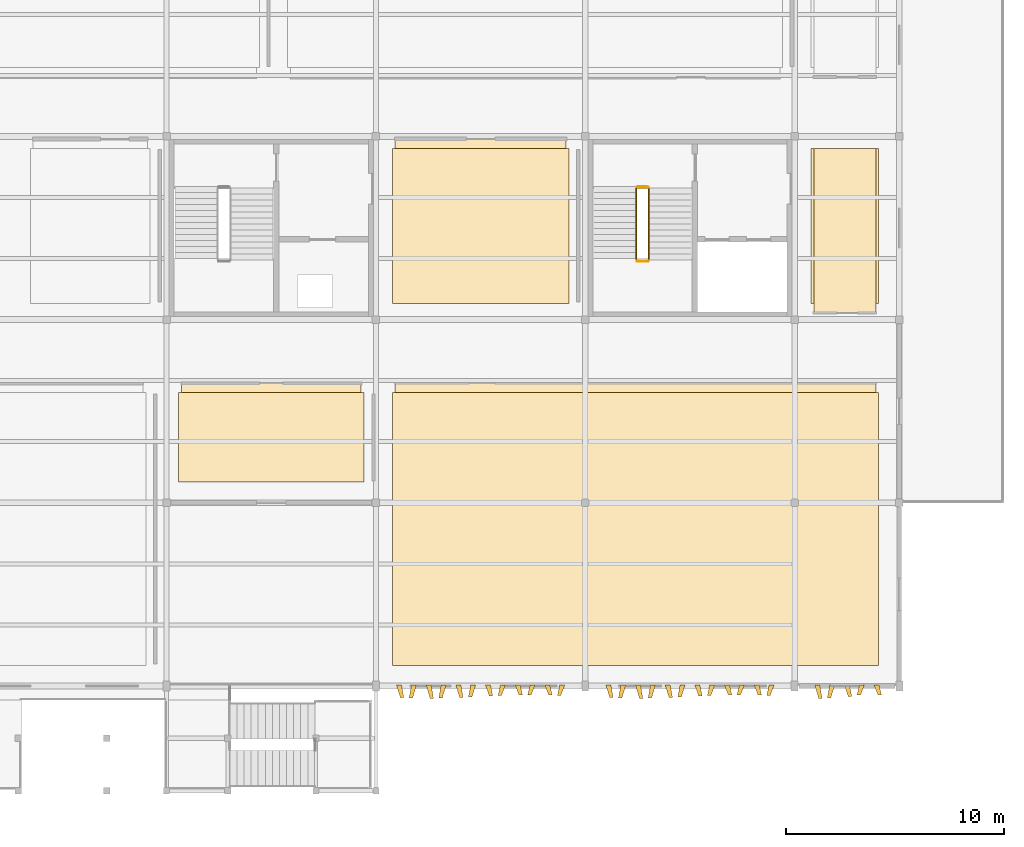
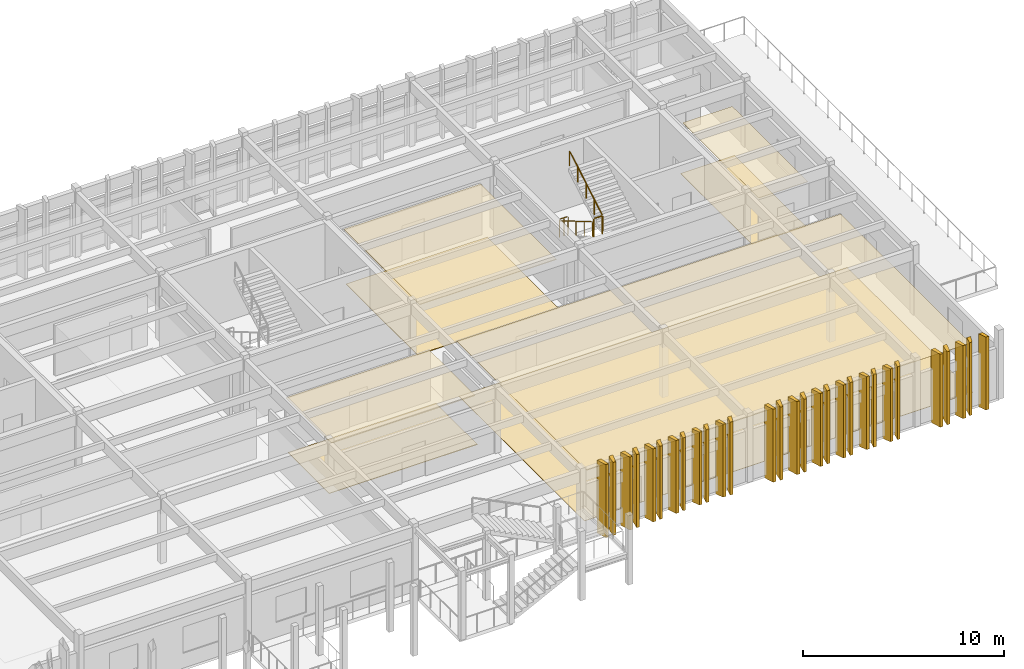
# One storey, part 13 of 14: 37 coverings, 4 railings.
"""IFC4 building model written with IfcOpenShell, lengths in metres."""

import ifcopenshell
import ifcopenshell.guid

model = None  # the IFC model being written
_history = None  # IfcOwnerHistory: only IFC2X3 demands one
_inside = {}  # id of a spatial element -> (the spatial element, [elements in it])
_under = {}  # id of a project, library or spatial element -> (it, [spatial elements below it])
_declared = {}  # id of a project -> (the project, [libraries it declares])
_typed = {}  # id of a type object -> (the type object, [elements of that type])
_made_of = {}  # id of a material, layer set ... -> (it, [elements and type objects made of it])


def new_model(schema):
    """Start an empty IFC model of exactly this schema.

    Asked for "IFC4X3", IfcOpenShell would pick the latest addendum, in which some entities
    have other attributes; the version numbers below select the first issue.
    IFC2X3 requires an IfcOwnerHistory on every rooted entity: one is made here for all.
    """
    global model, _history
    if schema == "IFC4X3":
        model = ifcopenshell.file(schema_version=(4, 3, 0, 0))
    else:
        model = ifcopenshell.file(schema=schema)
    _inside.clear()
    _under.clear()
    _declared.clear()
    _typed.clear()
    _made_of.clear()
    _history = None
    if model.schema == "IFC2X3":
        org = make("IfcOrganization", Name="unknown")
        user = make(
            "IfcPersonAndOrganization",
            ThePerson=make("IfcPerson", FamilyName="unknown"),
            TheOrganization=org,
        )
        app = make(
            "IfcApplication",
            ApplicationDeveloper=org,
            Version="unknown",
            ApplicationFullName="unknown",
            ApplicationIdentifier="unknown",
        )
        _history = make(
            "IfcOwnerHistory",
            OwningUser=user,
            OwningApplication=app,
            ChangeAction="ADDED",
            CreationDate=0,
        )
    return model


def make(cls, **values):
    """One entity of the class cls with the attributes given. An attribute that is None is left unset."""
    return model.create_entity(
        cls, **{name: value for name, value in values.items() if value is not None}
    )


def rooted(cls, **values):
    """An entity with a GlobalId (a new one), such as an element, a storey or a relation."""
    return make(cls, GlobalId=ifcopenshell.guid.new(), OwnerHistory=_history, **values)


def si_unit(unit_type, name, prefix=None):
    """IfcSIUnit, for example si_unit("LENGTHUNIT", "METRE", prefix="MILLI")."""
    return make("IfcSIUnit", UnitType=unit_type, Prefix=prefix, Name=name)


def assignment(units):
    """IfcUnitAssignment: the units of a project."""
    return None if units is None else make("IfcUnitAssignment", Units=units)


def point(xyz):
    """IfcCartesianPoint."""
    return None if xyz is None else make("IfcCartesianPoint", Coordinates=xyz)


def direction(xyz):
    """IfcDirection."""
    return None if xyz is None else make("IfcDirection", DirectionRatios=xyz)


def frame(location, z_axis=None, x_axis=None):
    """IfcAxis2Placement3D, a coordinate frame: its origin and axes. An axis left out is left unset."""
    return make(
        "IfcAxis2Placement3D",
        Location=point(location),
        Axis=direction(z_axis),
        RefDirection=direction(x_axis),
    )


def frame_2d(location, x_axis=None):
    """IfcAxis2Placement2D, a coordinate frame in the plane: its origin and x axis."""
    return make(
        "IfcAxis2Placement2D", Location=point(location), RefDirection=direction(x_axis)
    )


def origin():
    """The frame at (0, 0, 0) with its axes left unset."""
    return frame((0.0, 0.0, 0.0))


def origin_2d():
    """The frame at (0, 0) in the plane with its x axis left unset."""
    return frame_2d((0.0, 0.0))


def place(relative_to, where):
    """IfcLocalPlacement: puts the frame where relative to a parent placement (None: the world)."""
    return make(
        "IfcLocalPlacement", PlacementRelTo=relative_to, RelativePlacement=where
    )


def context(
    kind, dimensions, precision=None, world=None, true_north=None, identifier=None
):
    """IfcGeometricRepresentationContext, for example the 3D "Model" context."""
    return make(
        "IfcGeometricRepresentationContext",
        ContextIdentifier=identifier,
        ContextType=kind,
        CoordinateSpaceDimension=dimensions,
        Precision=precision,
        WorldCoordinateSystem=world,
        TrueNorth=true_north,
    )


def subcontext(parent, identifier, kind, view, scale=None):
    """IfcGeometricRepresentationSubContext, for example "Body" below "Model"."""
    return make(
        "IfcGeometricRepresentationSubContext",
        ContextIdentifier=identifier,
        ContextType=kind,
        ParentContext=parent,
        TargetScale=scale,
        TargetView=view,
    )


def project(units=None, contexts=None):
    """IfcProject with its units and contexts."""
    return rooted(
        "IfcProject",
        Name="project",
        RepresentationContexts=contexts,
        UnitsInContext=assignment(units),
    )


def spatial(cls, under=None, at=None, **own):
    """A site, building, storey or space (cls), placed at a placement, below another one or the project."""
    s = rooted(cls, ObjectPlacement=at, **own)
    if under is not None:
        _under.setdefault(under.id(), (under, []))[1].append(s)
    return s


def polyline(points):
    """IfcPolyline through the points."""
    return make("IfcPolyline", Points=[point(p) for p in points])


def profile(cls, at=None, kind="AREA", **sizes):
    """A parametric profile (cls). Its sizes go by their IFC names, for example OverallWidth=200.0."""
    return make(cls, ProfileType=kind, Position=at, **sizes)


def circle(**sizes):
    """IfcCircleProfileDef."""
    return profile("IfcCircleProfileDef", **sizes)


def outline(outer, holes=None, kind="AREA"):
    """IfcArbitraryClosedProfileDef: a profile drawn as a closed curve; with holes, ...WithVoids."""
    if holes is None:
        return make("IfcArbitraryClosedProfileDef", ProfileType=kind, OuterCurve=outer)
    return make(
        "IfcArbitraryProfileDefWithVoids",
        ProfileType=kind,
        OuterCurve=outer,
        InnerCurves=holes,
    )


def extrude(swept, where, along, depth):
    """IfcExtrudedAreaSolid: the profile swept, set in the frame where, extruded along a direction by depth."""
    return make(
        "IfcExtrudedAreaSolid",
        SweptArea=swept,
        Position=where,
        ExtrudedDirection=direction(along),
        Depth=depth,
    )


def shape(context_of_items, identifier, shape_type, items):
    """IfcShapeRepresentation: the items that make up one representation, for example the "Body"."""
    return make(
        "IfcShapeRepresentation",
        ContextOfItems=context_of_items,
        RepresentationIdentifier=identifier,
        RepresentationType=shape_type,
        Items=items,
    )


def material(Name=None, Category=None):
    """IfcMaterial."""
    return make("IfcMaterial", Name=Name, Category=Category)


def layer(
    of_material, thickness, ventilated=None, Name=None, Category=None, Priority=None
):
    """IfcMaterialLayer: one layer of a wall or slab, of a material (None: an air gap)."""
    return make(
        "IfcMaterialLayer",
        Material=of_material,
        LayerThickness=thickness,
        IsVentilated=ventilated,
        Name=Name,
        Category=Category,
        Priority=Priority,
    )


def layer_set(layers, Name=None):
    """IfcMaterialLayerSet."""
    return make("IfcMaterialLayerSet", MaterialLayers=layers, LayerSetName=Name)


def made_of(thing, what):
    """Note that an element or type object is made of a material, layer set ...; save() writes the relation."""
    if what is not None:
        _made_of.setdefault(what.id(), (what, []))[1].append(thing)
    return thing


def type_object(cls, material=None, **own):
    """A type object (cls), such as IfcWallType, which elements share."""
    return made_of(rooted(cls, **own), material)


def element(
    cls,
    number,
    at=None,
    inside=None,
    cuts=None,
    type_object=None,
    material=None,
    context=None,
    identifier="Body",
    shape_type=None,
    held_by="IfcProductDefinitionShape",
    body=None,
    shapes=None,
    **own,
):
    """One element of the class cls, such as IfcWall. Its Tag is "e" and its number.

    at: its placement. inside: the storey or other place that contains it. cuts: it is an
    opening in that element (IfcRelVoidsElement). A single representation is given by context,
    identifier, shape_type and body (its items); several are given by shapes. held_by: the class
    of the entity that holds the representations. save() writes the other relations.
    """
    e = rooted(cls, Tag="e%d" % number, ObjectPlacement=at, **own)
    if body is not None:
        shapes = [shape(context, identifier, shape_type, body)]
    if shapes is not None:
        e.Representation = make(held_by, Representations=shapes)
    if inside is not None:
        _inside.setdefault(inside.id(), (inside, []))[1].append(e)
    if cuts is not None:
        rooted(
            "IfcRelVoidsElement", RelatingBuildingElement=cuts, RelatedOpeningElement=e
        )
    if type_object is not None:
        _typed.setdefault(type_object.id(), (type_object, []))[1].append(e)
    return made_of(e, material)


def aggregate(whole, parts):
    """IfcRelAggregates: a whole, such as a stair, and the parts it consists of."""
    return rooted("IfcRelAggregates", RelatingObject=whole, RelatedObjects=parts)


def save(model, path):
    """Write the relations noted so far, then the file.

    IfcRelAggregates (storeys below a building ...), IfcRelContainedInSpatialStructure (elements
    in a storey), IfcRelDefinesByType, IfcRelAssociatesMaterial and IfcRelDeclares: one each for
    every whole, place, type object, material and project.
    """
    for whole, parts in _under.values():
        aggregate(whole, parts)
    for where, things in _inside.values():
        rooted(
            "IfcRelContainedInSpatialStructure",
            RelatedElements=things,
            RelatingStructure=where,
        )
    for kind, things in _typed.values():
        rooted("IfcRelDefinesByType", RelatedObjects=things, RelatingType=kind)
    for what, things in _made_of.values():
        rooted("IfcRelAssociatesMaterial", RelatedObjects=things, RelatingMaterial=what)
    for by, libraries in _declared.values():
        rooted("IfcRelDeclares", RelatingContext=by, RelatedDefinitions=libraries)
    model.write(path)


model = new_model("IFC4")

# Units and contexts
model_context = context("Model", 3, precision=1e-05, world=origin(), true_north=direction((0.0, 1.0)))
body_context = subcontext(model_context, "Body", "Model", "MODEL_VIEW")
ifc_project = project(units=[si_unit("LENGTHUNIT", "METRE"), si_unit("AREAUNIT", "SQUARE_METRE"), si_unit("VOLUMEUNIT", "CUBIC_METRE"), si_unit("PLANEANGLEUNIT", "RADIAN"), si_unit("MASSUNIT", "GRAM", prefix="KILO")], contexts=[model_context])

# Site, building, storey
site_placement = place(None, origin())
site = spatial("IfcSite", under=ifc_project, at=site_placement, CompositionType="ELEMENT")
building_placement = place(site_placement, origin())
building = spatial("IfcBuilding", under=site, at=building_placement, Name="Kolvemor Railside Polytechnic", CompositionType="ELEMENT")
storey_placement = place(building_placement, frame((0.0, 0.0, 22.800048828125)))
storey = spatial("IfcBuildingStorey", under=building, at=storey_placement, Name="L05", CompositionType="ELEMENT", Elevation=22.800048828125)

# Coverings
ifc_material_1 = material(Name="Perforated acoustic mineral-fibre and timber-slat ceiling", Category="wood")
ifc_layer_1 = layer(ifc_material_1, 0.02490234375, Name="COV-CEIL-1")
ifc_layer_set_1 = layer_set([ifc_layer_1], Name="Perforated acoustic mineral-fibre and timber-slat ceiling")
covering_type_1 = type_object("IfcCoveringType", Name="COV-CEIL-1", PredefinedType="CEILING", material=ifc_layer_set_1)
covering_1_placement = place(storey_placement, frame((0.0, 0.0, 3.02490234375)))
element("IfcCovering", 1, at=covering_1_placement, inside=storey, type_object=covering_type_1, Name="Senior Honours East Design Studio Acoustic Ceiling", PredefinedType="CEILING", context=body_context, shape_type="SweptSolid", body=[
    extrude(outline(polyline([(96.8798828125, 5.75), (118.919921875, 5.75), (118.919921875, 18.679931640625), (96.8798828125, 18.679931640625), (96.8798828125, 5.75)])), origin(), (0.0, 0.0, 1.0), 0.025146484375),
])
covering_2_placement = place(storey_placement, frame((0.0, 0.0, 3.02490234375)))
element("IfcCovering", 2, at=covering_2_placement, inside=storey, type_object=covering_type_1, Name="Main Stack Public and Accessible WC L05 Acoustic Ceiling", PredefinedType="CEILING", context=body_context, shape_type="SweptSolid", body=[
    extrude(outline(polyline([(116.080078125, 21.919921875), (118.919921875, 21.919921875), (118.919921875, 29.449951171875), (116.080078125, 29.449951171875), (116.080078125, 21.919921875)])), origin(), (0.0, 0.0, 1.0), 0.025146484375),
])
ifc_material_2 = material(Name="Perforated acoustic mineral-fibre and timber-slat ceiling", Category="wood")
ifc_layer_2 = layer(ifc_material_2, 0.0400390625, Name="COV-CEIL-4")
ifc_layer_set_2 = layer_set([ifc_layer_2], Name="Perforated acoustic mineral-fibre and timber-slat ceiling")
covering_type_2 = type_object("IfcCoveringType", Name="COV-CEIL-4", PredefinedType="CEILING", material=ifc_layer_set_2)
covering_3_placement = place(storey_placement, frame((0.0, 0.0, 3.010009765625)))
element("IfcCovering", 3, at=covering_3_placement, inside=storey, type_object=covering_type_2, Name="South Terrace Seminar Room 501 Acoustic Ceiling", PredefinedType="CEILING", context=body_context, shape_type="SweptSolid", body=[
    extrude(outline(polyline([(87.080078125, 14.14990234375), (95.320068359375, 14.14990234375), (95.320068359375, 18.679931640625), (87.080078125, 18.679931640625), (87.080078125, 14.14990234375)])), origin(), (0.0, 0.0, 1.0), 0.0400390625),
])
covering_4_placement = place(storey_placement, frame((0.0, 0.0, 3.010009765625)))
element("IfcCovering", 4, at=covering_4_placement, inside=storey, type_object=covering_type_2, Name="Smart Grid Simulation Laboratory Acoustic Ceiling", PredefinedType="CEILING", context=body_context, shape_type="SweptSolid", body=[
    extrude(outline(polyline([(96.8798828125, 22.35009765625), (104.719970703125, 22.35009765625), (104.719970703125, 29.8798828125), (96.8798828125, 29.8798828125), (96.8798828125, 22.35009765625)])), origin(), (0.0, 0.0, 1.0), 0.0400390625),
])
ifc_material_3 = material(Name="Champagne-bronze PVDF-anodised marine aluminium 5052-H32", Category="aluminium")
ifc_layer_3 = layer(ifc_material_3, 0.179931640625, Name="COV-FIN-CHAMP")
ifc_layer_set_3 = layer_set([ifc_layer_3], Name="Champagne-bronze PVDF-anodised marine aluminium 5052-H32")
covering_type_3 = type_object("IfcCoveringType", Name="COV-FIN-CHAMP", PredefinedType="CLADDING", material=ifc_layer_set_3)
covering_5_placement = place(storey_placement, frame((0.0, 0.0, -0.22998046875)))
element("IfcCovering", 5, at=covering_5_placement, inside=storey, type_object=covering_type_3, Name="Pleated Solar Fin L05-0433", PredefinedType="CLADDING", context=body_context, shape_type="SweptSolid", body=[
    extrude(outline(polyline([(106.544921875, 4.8349609375), (106.77490234375, 4.8349609375), (106.8798828125, 4.263916015625), (106.719970703125, 4.263916015625), (106.544921875, 4.8349609375)])), origin(), (0.0, 0.0, 1.0), 4.429931640625),
])
covering_6_placement = place(storey_placement, frame((0.0, 0.0, -0.22998046875)))
element("IfcCovering", 6, at=covering_6_placement, inside=storey, type_object=covering_type_3, Name="Pleated Solar Fin L05-0434", PredefinedType="CLADDING", context=body_context, shape_type="SweptSolid", body=[
    extrude(outline(polyline([(107.22509765625, 4.8349609375), (107.455078125, 4.8349609375), (107.280029296875, 4.241943359375), (107.1201171875, 4.241943359375), (107.22509765625, 4.8349609375)])), origin(), (0.0, 0.0, 1.0), 4.429931640625),
])
covering_7_placement = place(storey_placement, frame((0.0, 0.0, -0.22998046875)))
element("IfcCovering", 7, at=covering_7_placement, inside=storey, type_object=covering_type_3, Name="Pleated Solar Fin L05-0435", PredefinedType="CLADDING", context=body_context, shape_type="SweptSolid", body=[
    extrude(outline(polyline([(107.905029296875, 4.8349609375), (108.135009765625, 4.8349609375), (108.239990234375, 4.235107421875), (108.080078125, 4.235107421875), (107.905029296875, 4.8349609375)])), origin(), (0.0, 0.0, 1.0), 4.429931640625),
])
covering_8_placement = place(storey_placement, frame((0.0, 0.0, -0.22998046875)))
element("IfcCovering", 8, at=covering_8_placement, inside=storey, type_object=covering_type_3, Name="Pleated Solar Fin L05-0436", PredefinedType="CLADDING", context=body_context, shape_type="SweptSolid", body=[
    extrude(outline(polyline([(108.5849609375, 4.8349609375), (108.81494140625, 4.8349609375), (108.639892578125, 4.242919921875), (108.47998046875, 4.242919921875), (108.5849609375, 4.8349609375)])), origin(), (0.0, 0.0, 1.0), 4.429931640625),
])
covering_9_placement = place(storey_placement, frame((0.0, 0.0, -0.22998046875)))
element("IfcCovering", 9, at=covering_9_placement, inside=storey, type_object=covering_type_3, Name="Pleated Solar Fin L05-0437", PredefinedType="CLADDING", context=body_context, shape_type="SweptSolid", body=[
    extrude(outline(polyline([(109.264892578125, 4.8349609375), (109.4951171875, 4.8349609375), (109.60009765625, 4.264892578125), (109.43994140625, 4.264892578125), (109.264892578125, 4.8349609375)])), origin(), (0.0, 0.0, 1.0), 4.429931640625),
])
covering_10_placement = place(storey_placement, frame((0.0, 0.0, -0.22998046875)))
element("IfcCovering", 10, at=covering_10_placement, inside=storey, type_object=covering_type_3, Name="Pleated Solar Fin L05-0438", PredefinedType="CLADDING", context=body_context, shape_type="SweptSolid", body=[
    extrude(outline(polyline([(109.945068359375, 4.8349609375), (110.175048828125, 4.8349609375), (110.0, 4.297119140625), (109.840087890625, 4.297119140625), (109.945068359375, 4.8349609375)])), origin(), (0.0, 0.0, 1.0), 4.429931640625),
])
covering_11_placement = place(storey_placement, frame((0.0, 0.0, -0.22998046875)))
element("IfcCovering", 11, at=covering_11_placement, inside=storey, type_object=covering_type_3, Name="Pleated Solar Fin L05-0439", PredefinedType="CLADDING", context=body_context, shape_type="SweptSolid", body=[
    extrude(outline(polyline([(110.625, 4.8349609375), (110.85498046875, 4.8349609375), (110.9599609375, 4.3330078125), (110.800048828125, 4.3330078125), (110.625, 4.8349609375)])), origin(), (0.0, 0.0, 1.0), 4.429931640625),
])
covering_12_placement = place(storey_placement, frame((0.0, 0.0, -0.22998046875)))
element("IfcCovering", 12, at=covering_12_placement, inside=storey, type_object=covering_type_3, Name="Pleated Solar Fin L05-0440", PredefinedType="CLADDING", context=body_context, shape_type="SweptSolid", body=[
    extrude(outline(polyline([(111.304931640625, 4.8349609375), (111.534912109375, 4.8349609375), (111.360107421875, 4.364990234375), (111.199951171875, 4.364990234375), (111.304931640625, 4.8349609375)])), origin(), (0.0, 0.0, 1.0), 4.429931640625),
])
covering_13_placement = place(storey_placement, frame((0.0, 0.0, -0.22998046875)))
element("IfcCovering", 13, at=covering_13_placement, inside=storey, type_object=covering_type_3, Name="Pleated Solar Fin L05-0441", PredefinedType="CLADDING", context=body_context, shape_type="SweptSolid", body=[
    extrude(outline(polyline([(111.985107421875, 4.8349609375), (112.215087890625, 4.8349609375), (112.320068359375, 4.386962890625), (112.159912109375, 4.386962890625), (111.985107421875, 4.8349609375)])), origin(), (0.0, 0.0, 1.0), 4.429931640625),
])
covering_14_placement = place(storey_placement, frame((0.0, 0.0, -0.22998046875)))
element("IfcCovering", 14, at=covering_14_placement, inside=storey, type_object=covering_type_3, Name="Pleated Solar Fin L05-0442", PredefinedType="CLADDING", context=body_context, shape_type="SweptSolid", body=[
    extrude(outline(polyline([(112.6650390625, 4.8349609375), (112.89501953125, 4.8349609375), (112.719970703125, 4.39501953125), (112.56005859375, 4.39501953125), (112.6650390625, 4.8349609375)])), origin(), (0.0, 0.0, 1.0), 4.429931640625),
])
covering_15_placement = place(storey_placement, frame((0.0, 0.0, -0.22998046875)))
element("IfcCovering", 15, at=covering_15_placement, inside=storey, type_object=covering_type_3, Name="Pleated Solar Fin L05-0443", PredefinedType="CLADDING", context=body_context, shape_type="SweptSolid", body=[
    extrude(outline(polyline([(113.344970703125, 4.8349609375), (113.574951171875, 4.8349609375), (113.679931640625, 4.387939453125), (113.52001953125, 4.387939453125), (113.344970703125, 4.8349609375)])), origin(), (0.0, 0.0, 1.0), 4.429931640625),
])
covering_16_placement = place(storey_placement, frame((0.0, 0.0, -0.22998046875)))
element("IfcCovering", 16, at=covering_16_placement, inside=storey, type_object=covering_type_3, Name="Pleated Solar Fin L05-0444", PredefinedType="CLADDING", context=body_context, shape_type="SweptSolid", body=[
    extrude(outline(polyline([(114.02490234375, 4.8349609375), (114.2548828125, 4.8349609375), (114.080078125, 4.365966796875), (113.919921875, 4.365966796875), (114.02490234375, 4.8349609375)])), origin(), (0.0, 0.0, 1.0), 4.429931640625),
])
ifc_material_4 = material(Name="Sea-mist PVDF-anodised marine aluminium 5052-H32", Category="aluminium")
ifc_layer_4 = layer(ifc_material_4, 0.159912109375, Name="COV-FIN-MIST")
ifc_layer_set_4 = layer_set([ifc_layer_4], Name="Sea-mist PVDF-anodised marine aluminium 5052-H32")
covering_type_4 = type_object("IfcCoveringType", Name="COV-FIN-MIST", PredefinedType="CLADDING", material=ifc_layer_set_4)
covering_17_placement = place(storey_placement, frame((0.0, 0.0, -0.22998046875)))
element("IfcCovering", 17, at=covering_17_placement, inside=storey, type_object=covering_type_4, Name="Pleated Solar Fin L05-0421", PredefinedType="CLADDING", context=body_context, shape_type="SweptSolid", body=[
    extrude(outline(polyline([(96.945068359375, 4.8349609375), (97.175048828125, 4.8349609375), (97.280029296875, 4.263916015625), (97.1201171875, 4.263916015625), (96.945068359375, 4.8349609375)])), origin(), (0.0, 0.0, 1.0), 4.429931640625),
])
covering_18_placement = place(storey_placement, frame((0.0, 0.0, -0.22998046875)))
element("IfcCovering", 18, at=covering_18_placement, inside=storey, type_object=covering_type_4, Name="Pleated Solar Fin L05-0422", PredefinedType="CLADDING", context=body_context, shape_type="SweptSolid", body=[
    extrude(outline(polyline([(97.625, 4.8349609375), (97.85498046875, 4.8349609375), (97.679931640625, 4.241943359375), (97.52001953125, 4.241943359375), (97.625, 4.8349609375)])), origin(), (0.0, 0.0, 1.0), 4.429931640625),
])
covering_19_placement = place(storey_placement, frame((0.0, 0.0, -0.22998046875)))
element("IfcCovering", 19, at=covering_19_placement, inside=storey, type_object=covering_type_4, Name="Pleated Solar Fin L05-0423", PredefinedType="CLADDING", context=body_context, shape_type="SweptSolid", body=[
    extrude(outline(polyline([(98.304931640625, 4.8349609375), (98.534912109375, 4.8349609375), (98.639892578125, 4.235107421875), (98.47998046875, 4.235107421875), (98.304931640625, 4.8349609375)])), origin(), (0.0, 0.0, 1.0), 4.429931640625),
])
covering_20_placement = place(storey_placement, frame((0.0, 0.0, -0.22998046875)))
element("IfcCovering", 20, at=covering_20_placement, inside=storey, type_object=covering_type_4, Name="Pleated Solar Fin L05-0424", PredefinedType="CLADDING", context=body_context, shape_type="SweptSolid", body=[
    extrude(outline(polyline([(98.985107421875, 4.8349609375), (99.215087890625, 4.8349609375), (99.0400390625, 4.242919921875), (98.8798828125, 4.242919921875), (98.985107421875, 4.8349609375)])), origin(), (0.0, 0.0, 1.0), 4.429931640625),
])
covering_21_placement = place(storey_placement, frame((0.0, 0.0, -0.22998046875)))
element("IfcCovering", 21, at=covering_21_placement, inside=storey, type_object=covering_type_4, Name="Pleated Solar Fin L05-0425", PredefinedType="CLADDING", context=body_context, shape_type="SweptSolid", body=[
    extrude(outline(polyline([(99.6650390625, 4.8349609375), (99.89501953125, 4.8349609375), (100.0, 4.264892578125), (99.840087890625, 4.264892578125), (99.6650390625, 4.8349609375)])), origin(), (0.0, 0.0, 1.0), 4.429931640625),
])
covering_22_placement = place(storey_placement, frame((0.0, 0.0, -0.22998046875)))
element("IfcCovering", 22, at=covering_22_placement, inside=storey, type_object=covering_type_4, Name="Pleated Solar Fin L05-0426", PredefinedType="CLADDING", context=body_context, shape_type="SweptSolid", body=[
    extrude(outline(polyline([(100.344970703125, 4.8349609375), (100.574951171875, 4.8349609375), (100.39990234375, 4.297119140625), (100.239990234375, 4.297119140625), (100.344970703125, 4.8349609375)])), origin(), (0.0, 0.0, 1.0), 4.429931640625),
])
covering_23_placement = place(storey_placement, frame((0.0, 0.0, -0.22998046875)))
element("IfcCovering", 23, at=covering_23_placement, inside=storey, type_object=covering_type_4, Name="Pleated Solar Fin L05-0427", PredefinedType="CLADDING", context=body_context, shape_type="SweptSolid", body=[
    extrude(outline(polyline([(101.02490234375, 4.8349609375), (101.2548828125, 4.8349609375), (101.360107421875, 4.3330078125), (101.199951171875, 4.3330078125), (101.02490234375, 4.8349609375)])), origin(), (0.0, 0.0, 1.0), 4.429931640625),
])
covering_24_placement = place(storey_placement, frame((0.0, 0.0, -0.22998046875)))
element("IfcCovering", 24, at=covering_24_placement, inside=storey, type_object=covering_type_4, Name="Pleated Solar Fin L05-0428", PredefinedType="CLADDING", context=body_context, shape_type="SweptSolid", body=[
    extrude(outline(polyline([(101.705078125, 4.8349609375), (101.93505859375, 4.8349609375), (101.760009765625, 4.364990234375), (101.60009765625, 4.364990234375), (101.705078125, 4.8349609375)])), origin(), (0.0, 0.0, 1.0), 4.429931640625),
])
covering_25_placement = place(storey_placement, frame((0.0, 0.0, -0.22998046875)))
element("IfcCovering", 25, at=covering_25_placement, inside=storey, type_object=covering_type_4, Name="Pleated Solar Fin L05-0429", PredefinedType="CLADDING", context=body_context, shape_type="SweptSolid", body=[
    extrude(outline(polyline([(102.385009765625, 4.8349609375), (102.614990234375, 4.8349609375), (102.719970703125, 4.386962890625), (102.56005859375, 4.386962890625), (102.385009765625, 4.8349609375)])), origin(), (0.0, 0.0, 1.0), 4.429931640625),
])
covering_26_placement = place(storey_placement, frame((0.0, 0.0, -0.22998046875)))
element("IfcCovering", 26, at=covering_26_placement, inside=storey, type_object=covering_type_4, Name="Pleated Solar Fin L05-0430", PredefinedType="CLADDING", context=body_context, shape_type="SweptSolid", body=[
    extrude(outline(polyline([(103.06494140625, 4.8349609375), (103.294921875, 4.8349609375), (103.1201171875, 4.39501953125), (102.9599609375, 4.39501953125), (103.06494140625, 4.8349609375)])), origin(), (0.0, 0.0, 1.0), 4.429931640625),
])
covering_27_placement = place(storey_placement, frame((0.0, 0.0, -0.22998046875)))
element("IfcCovering", 27, at=covering_27_placement, inside=storey, type_object=covering_type_4, Name="Pleated Solar Fin L05-0431", PredefinedType="CLADDING", context=body_context, shape_type="SweptSolid", body=[
    extrude(outline(polyline([(103.7451171875, 4.8349609375), (103.97509765625, 4.8349609375), (104.080078125, 4.387939453125), (103.919921875, 4.387939453125), (103.7451171875, 4.8349609375)])), origin(), (0.0, 0.0, 1.0), 4.429931640625),
])
covering_28_placement = place(storey_placement, frame((0.0, 0.0, -0.22998046875)))
element("IfcCovering", 28, at=covering_28_placement, inside=storey, type_object=covering_type_4, Name="Pleated Solar Fin L05-0432", PredefinedType="CLADDING", context=body_context, shape_type="SweptSolid", body=[
    extrude(outline(polyline([(104.425048828125, 4.8349609375), (104.655029296875, 4.8349609375), (104.47998046875, 4.365966796875), (104.320068359375, 4.365966796875), (104.425048828125, 4.8349609375)])), origin(), (0.0, 0.0, 1.0), 4.429931640625),
])
covering_29_placement = place(storey_placement, frame((0.0, 0.0, -0.22998046875)))
element("IfcCovering", 29, at=covering_29_placement, inside=storey, type_object=covering_type_4, Name="Pleated Solar Fin L05-0445", PredefinedType="CLADDING", context=body_context, shape_type="SweptSolid", body=[
    extrude(outline(polyline([(116.125, 4.8349609375), (116.35498046875, 4.8349609375), (116.4599609375, 4.237060546875), (116.300048828125, 4.237060546875), (116.125, 4.8349609375)])), origin(), (0.0, 0.0, 1.0), 4.429931640625),
])
covering_30_placement = place(storey_placement, frame((0.0, 0.0, -0.22998046875)))
element("IfcCovering", 30, at=covering_30_placement, inside=storey, type_object=covering_type_4, Name="Pleated Solar Fin L05-0446", PredefinedType="CLADDING", context=body_context, shape_type="SweptSolid", body=[
    extrude(outline(polyline([(116.804931640625, 4.8349609375), (117.034912109375, 4.8349609375), (116.860107421875, 4.2529296875), (116.699951171875, 4.2529296875), (116.804931640625, 4.8349609375)])), origin(), (0.0, 0.0, 1.0), 4.429931640625),
])
covering_31_placement = place(storey_placement, frame((0.0, 0.0, -0.22998046875)))
element("IfcCovering", 31, at=covering_31_placement, inside=storey, type_object=covering_type_4, Name="Pleated Solar Fin L05-0447", PredefinedType="CLADDING", context=body_context, shape_type="SweptSolid", body=[
    extrude(outline(polyline([(117.485107421875, 4.8349609375), (117.715087890625, 4.8349609375), (117.820068359375, 4.31494140625), (117.659912109375, 4.31494140625), (117.485107421875, 4.8349609375)])), origin(), (0.0, 0.0, 1.0), 4.429931640625),
])
covering_32_placement = place(storey_placement, frame((0.0, 0.0, -0.22998046875)))
element("IfcCovering", 32, at=covering_32_placement, inside=storey, type_object=covering_type_4, Name="Pleated Solar Fin L05-0448", PredefinedType="CLADDING", context=body_context, shape_type="SweptSolid", body=[
    extrude(outline(polyline([(118.1650390625, 4.8349609375), (118.39501953125, 4.8349609375), (118.219970703125, 4.376953125), (118.06005859375, 4.376953125), (118.1650390625, 4.8349609375)])), origin(), (0.0, 0.0, 1.0), 4.429931640625),
])
covering_33_placement = place(storey_placement, frame((0.0, 0.0, -0.22998046875)))
element("IfcCovering", 33, at=covering_33_placement, inside=storey, type_object=covering_type_4, Name="Pleated Solar Fin L05-0449", PredefinedType="CLADDING", context=body_context, shape_type="SweptSolid", body=[
    extrude(outline(polyline([(118.844970703125, 4.8349609375), (119.074951171875, 4.8349609375), (119.179931640625, 4.39306640625), (119.02001953125, 4.39306640625), (118.844970703125, 4.8349609375)])), origin(), (0.0, 0.0, 1.0), 4.429931640625),
])
ifc_material_5 = material(Name="Polished coral-aggregate terrazzo and laboratory epoxy flooring")
ifc_layer_5 = layer(ifc_material_5, 0.02001953125, Name="COV-FLR-1")
ifc_layer_set_5 = layer_set([ifc_layer_5], Name="Polished coral-aggregate terrazzo and laboratory epoxy flooring")
covering_type_5 = type_object("IfcCoveringType", Name="COV-FLR-1", PredefinedType="FLOORING", material=ifc_layer_set_5)
covering_34_placement = place(storey_placement, origin())
element("IfcCovering", 34, at=covering_34_placement, inside=storey, type_object=covering_type_5, Name="Senior Honours East Design Studio Floor Finish", PredefinedType="FLOORING", context=body_context, shape_type="SweptSolid", body=[
    extrude(outline(polyline([(96.75, 5.75), (119.050048828125, 5.75), (119.050048828125, 18.25), (96.75, 18.25), (96.75, 5.75)])), origin(), (0.0, 0.0, 1.0), 0.02001953125),
])
covering_35_placement = place(storey_placement, origin())
element("IfcCovering", 35, at=covering_35_placement, inside=storey, type_object=covering_type_5, Name="Main Stack Public and Accessible WC L05 Floor Finish", PredefinedType="FLOORING", context=body_context, shape_type="SweptSolid", body=[
    extrude(outline(polyline([(115.949951171875, 22.35009765625), (119.050048828125, 22.35009765625), (119.050048828125, 29.449951171875), (115.949951171875, 29.449951171875), (115.949951171875, 22.35009765625)])), origin(), (0.0, 0.0, 1.0), 0.02001953125),
])
ifc_material_6 = material(Name="Polished coral-aggregate terrazzo and laboratory epoxy flooring")
ifc_layer_6 = layer(ifc_material_6, 0.034912109375, Name="COV-FLR-4")
ifc_layer_set_6 = layer_set([ifc_layer_6], Name="Polished coral-aggregate terrazzo and laboratory epoxy flooring")
covering_type_6 = type_object("IfcCoveringType", Name="COV-FLR-4", PredefinedType="FLOORING", material=ifc_layer_set_6)
covering_36_placement = place(storey_placement, origin())
element("IfcCovering", 36, at=covering_36_placement, inside=storey, type_object=covering_type_6, Name="South Terrace Seminar Room 501 Floor Finish", PredefinedType="FLOORING", context=body_context, shape_type="SweptSolid", body=[
    extrude(outline(polyline([(86.949951171875, 14.14990234375), (95.449951171875, 14.14990234375), (95.449951171875, 18.25), (86.949951171875, 18.25), (86.949951171875, 14.14990234375)])), origin(), (0.0, 0.0, 1.0), 0.034912109375),
])
covering_37_placement = place(storey_placement, origin())
element("IfcCovering", 37, at=covering_37_placement, inside=storey, type_object=covering_type_6, Name="Smart Grid Simulation Laboratory Floor Finish", PredefinedType="FLOORING", context=body_context, shape_type="SweptSolid", body=[
    extrude(outline(polyline([(96.75, 22.35009765625), (104.85009765625, 22.35009765625), (104.85009765625, 29.449951171875), (96.75, 29.449951171875), (96.75, 22.35009765625)])), origin(), (0.0, 0.0, 1.0), 0.034912109375),
])

# Railings
ifc_material_7 = material(Name="AISI 316 marine stainless-steel balustrade guard", Category="steel")
railing_type_1 = type_object("IfcRailingType", Name="RLG-GUARD-1120", PredefinedType="BALUSTRADE", material=ifc_material_7)
railing_1_placement = place(storey_placement, frame((107.97998046875, 27.679931640625, 0.0)))
element("IfcRailing", 38, at=railing_1_placement, inside=storey, type_object=railing_type_1, Name="ST-2 Floor Slot Guard L05", PredefinedType="BALUSTRADE", context=body_context, shape_type="SweptSolid", body=[
    extrude(circle(Radius=0.02392578125, at=origin_2d()), frame((0.054931640625, 0.0, 1.09619140625), z_axis=(1.0, 0.0, 0.0), x_axis=(0.0, 1.0, 0.0)), (0.0, 0.0, 1.0), 0.389892578125),
    extrude(circle(Radius=0.02099609375, at=origin_2d()), origin(), (0.0, 0.0, 1.0), 1.05712890625),
    extrude(circle(Radius=0.02099609375, at=origin_2d()), frame((0.25, 0.0, 0.0)), (0.0, 0.0, 1.0), 1.05712890625),
    extrude(circle(Radius=0.02099609375, at=origin_2d()), frame((0.5, 0.0, 0.0)), (0.0, 0.0, 1.0), 1.05712890625),
])
railing_2_placement = place(storey_placement, frame((107.97998046875, 24.280029296875, 2.099853515625)))
element("IfcRailing", 39, at=railing_2_placement, inside=storey, type_object=railing_type_1, Name="ST-2 Half-Landing Slot Guard L05", PredefinedType="BALUSTRADE", context=body_context, shape_type="SweptSolid", body=[
    extrude(circle(Radius=0.02392578125, at=origin_2d()), frame((0.054931640625, 0.0, 1.09619140625), z_axis=(1.0, 0.0, 0.0), x_axis=(0.0, 1.0, 0.0)), (0.0, 0.0, 1.0), 0.389892578125),
    extrude(circle(Radius=0.02099609375, at=origin_2d()), origin(), (0.0, 0.0, 1.0), 1.05712890625),
    extrude(circle(Radius=0.02099609375, at=origin_2d()), frame((0.5, 0.0, 0.0)), (0.0, 0.0, 1.0), 1.05712890625),
])
ifc_material_8 = material(Name="Brushed AISI 316 stainless-steel stair handrail", Category="steel")
railing_type_2 = type_object("IfcRailingType", Name="RLG-HANDRAIL-920", PredefinedType="HANDRAIL", material=ifc_material_8)
railing_3_placement = place(storey_placement, frame((107.93994140625, 27.6201171875, 0.161376953125)))
element("IfcRailing", 40, at=railing_3_placement, inside=storey, type_object=railing_type_2, Name="ST-2 Flight 1 Handrail L05", PredefinedType="HANDRAIL", context=body_context, shape_type="SweptSolid", body=[
    extrude(circle(Radius=0.02392578125, at=origin_2d()), frame((0.0, -0.04736328125, 0.923828125), z_axis=(0.0, -0.862245621732, 0.506490362991), x_axis=(1.0, 0.0, 0.0)), (0.0, 0.0, 1.0), 3.71728515625),
    extrude(circle(Radius=0.02099609375, at=origin_2d()), origin(), (0.0, 0.0, 1.0), 0.85693359375),
    extrude(circle(Radius=0.02099609375, at=origin_2d()), frame((0.0, -0.824951171875, 0.484619140625)), (0.0, 0.0, 1.0), 0.85693359375),
    extrude(circle(Radius=0.02099609375, at=origin_2d()), frame((0.0, -1.64990234375, 0.96923828125)), (0.0, 0.0, 1.0), 0.85693359375),
    extrude(circle(Radius=0.02099609375, at=origin_2d()), frame((0.0, -2.47509765625, 1.453857421875)), (0.0, 0.0, 1.0), 0.85693359375),
    extrude(circle(Radius=0.02099609375, at=origin_2d()), frame((0.0, -3.300048828125, 1.9384765625)), (0.0, 0.0, 1.0), 0.85693359375),
])
railing_4_placement = place(storey_placement, frame((108.52001953125, 24.320068359375, 2.261474609375)))
element("IfcRailing", 41, at=railing_4_placement, inside=storey, type_object=railing_type_2, Name="ST-2 Flight 2 Handrail L05", PredefinedType="HANDRAIL", context=body_context, shape_type="SweptSolid", body=[
    extrude(circle(Radius=0.02392578125, at=origin_2d()), frame((0.0, 0.04736328125, 0.923828125), z_axis=(0.0, 0.862245621732, 0.506490362991), x_axis=(-1.0, 0.0, 0.0)), (0.0, 0.0, 1.0), 3.71728515625),
    extrude(circle(Radius=0.02099609375, at=origin_2d()), origin(), (0.0, 0.0, 1.0), 0.85693359375),
    extrude(circle(Radius=0.02099609375, at=origin_2d()), frame((0.0, 0.824951171875, 0.484619140625)), (0.0, 0.0, 1.0), 0.85693359375),
    extrude(circle(Radius=0.02099609375, at=origin_2d()), frame((0.0, 1.64990234375, 0.96923828125)), (0.0, 0.0, 1.0), 0.85693359375),
    extrude(circle(Radius=0.02099609375, at=origin_2d()), frame((0.0, 2.47509765625, 1.453857421875)), (0.0, 0.0, 1.0), 0.85693359375),
    extrude(circle(Radius=0.02099609375, at=origin_2d()), frame((0.0, 3.300048828125, 1.9384765625)), (0.0, 0.0, 1.0), 0.85693359375),
])

save(model, "model.ifc")
